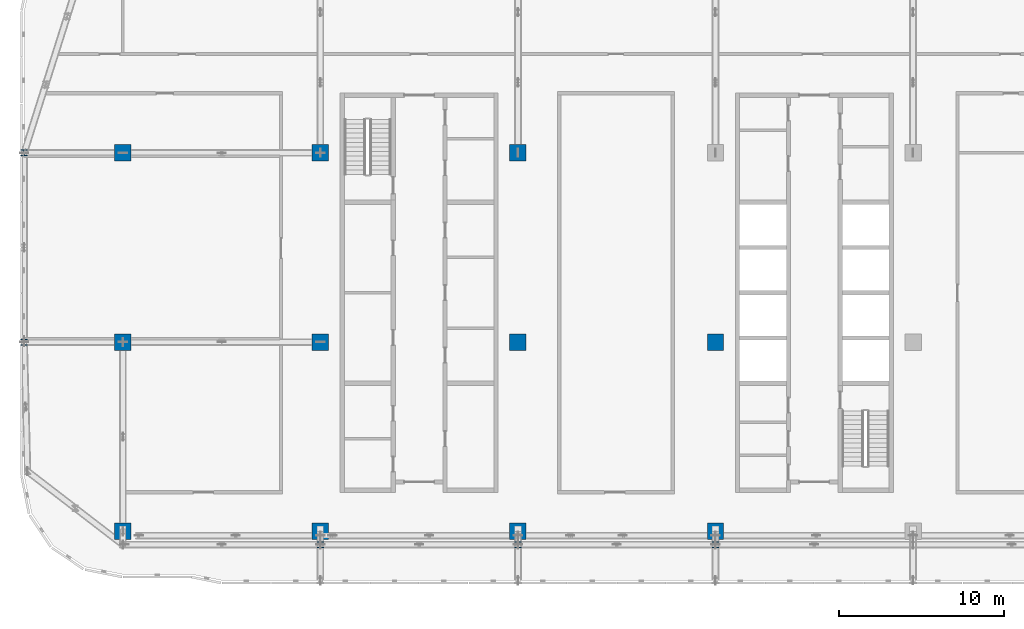
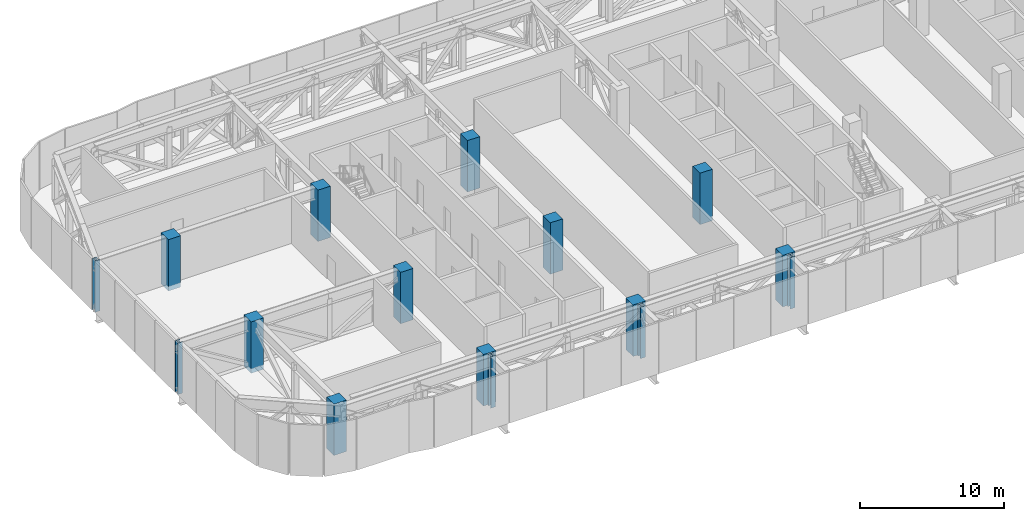
# One storey, part 1 of 29: 16 columns.
"""IFC4 building model written with IfcOpenShell, lengths in metres."""

from ifc_helpers import new_model, si_unit, direction, frame, origin, origin_2d, place, context, subcontext, project, spatial, rectangle, i_section, extrude, material, material_profile, profile_set, type_object, element, save


model = new_model("IFC4")

# Units and contexts
model_context = context("Model", 3, precision=1e-05, world=origin(), true_north=direction((0.0, 1.0)))
body_context = subcontext(model_context, "Body", "Model", "MODEL_VIEW")
ifc_project = project(units=[si_unit("LENGTHUNIT", "METRE"), si_unit("AREAUNIT", "SQUARE_METRE"), si_unit("VOLUMEUNIT", "CUBIC_METRE"), si_unit("PLANEANGLEUNIT", "RADIAN"), si_unit("MASSUNIT", "GRAM", prefix="KILO")], contexts=[model_context])

# Site, building, storey
site_placement = place(None, origin())
site = spatial("IfcSite", under=ifc_project, at=site_placement, CompositionType="ELEMENT")
building_placement = place(site_placement, origin())
building = spatial("IfcBuilding", under=site, at=building_placement, Name="Mahtab Terrace Research Tower", CompositionType="ELEMENT")
storey_placement = place(building_placement, frame((0.0, 0.0, 259.0)))
storey = spatial("IfcBuildingStorey", under=building, at=storey_placement, Name="L63", CompositionType="ELEMENT", Elevation=259.0)

# Columns
ifc_material_1 = material(Name="Concrete C70/85", Category="concrete")
ifc_material_profile_1 = material_profile(ifc_material_1, rectangle(XDim=1.0, YDim=1.0, at=origin_2d()), Name="RC column 1000x1000")
ifc_profile_set_1 = profile_set([ifc_material_profile_1], Name="Concrete C70/85")
column_type_1 = type_object("IfcColumnType", Name="RC column 1000x1000", PredefinedType="COLUMN", material=ifc_profile_set_1)
for number, where, z_axis, x_axis, name in (
    (1, (-42.0, -11.5, -0.39990234375), (0.0, 0.0, 1.0), (1.0, 0.0, 0.0), "Column RC-1A L63"),
    (2, (-42.0, 0.0, -0.39990234375), (0.0, 0.0, 1.0), (1.0, 0.0, 0.0), "Column RC-1B L63"),
    (3, (-42.0, 11.5, -0.39990234375), (0.0, 0.0, 1.0), (1.0, 0.0, 0.0), "Column RC-1C L63"),
    (4, (-30.0, -11.5, -0.39990234375), (0.0, 0.0, 1.0), (1.0, 0.0, 0.0), "Column RC-2A L63"),
    (5, (-30.0, 0.0, -0.39990234375), (0.0, 0.0, 1.0), (1.0, 0.0, 0.0), "Column RC-2B L63"),
    (6, (-30.0, 11.5, -0.39990234375), (0.0, 0.0, 1.0), (1.0, 0.0, 0.0), "Column RC-2C L63"),
    (7, (-18.0, -11.5, -0.39990234375), (0.0, 0.0, 1.0), (1.0, 0.0, 0.0), "Column RC-3A L63"),
    (8, (-18.0, 0.0, -0.39990234375), (0.0, 0.0, 1.0), (1.0, 0.0, 0.0), "Column RC-3B L63"),
    (9, (-18.0, 11.5, -0.39990234375), (0.0, 0.0, 1.0), (1.0, 0.0, 0.0), "Column RC-3C L63"),
    (10, (-6.0, -11.5, -0.39990234375), (0.0, 0.0, 1.0), (1.0, 0.0, 0.0), "Column RC-4A L63"),
    (11, (-6.0, 0.0, -0.39990234375), (0.0, 0.0, 1.0), (1.0, 0.0, 0.0), "Column RC-4B L63"),
):
    element("IfcColumn", number, at=place(storey_placement, frame(where, z_axis=z_axis, x_axis=x_axis)), inside=storey, type_object=column_type_1, Name=name, PredefinedType="COLUMN", context=body_context, shape_type="SweptSolid", body=[
        extrude(rectangle(XDim=1.0, YDim=1.0, at=origin_2d()), origin(), (0.0, 0.0, 1.0), 4.35986328125),
    ])
ifc_material_2 = material(Name="Steel ASTM A992 Gr 50", Category="steel")
ifc_material_profile_2 = material_profile(ifc_material_2, i_section(OverallWidth=0.393798828125, OverallDepth=0.3759765625, WebThickness=0.017333984375, FlangeThickness=0.027587890625, at=origin_2d()), Name="W14X145")
ifc_profile_set_2 = profile_set([ifc_material_profile_2], Name="Steel ASTM A992 Gr 50")
column_type_2 = type_object("IfcColumnType", Name="W14x145 column CS14145", PredefinedType="COLUMN", material=ifc_profile_set_2)
for number, where, z_axis, x_axis, name in (
    (12, (-48.0, 11.5, -0.39990234375), (0.0, 0.0, 1.0), (1.0, 0.0, 0.0), "Column SC-009 L63"),
    (13, (-48.0, 0.0, -0.39990234375), (0.0, 0.0, 1.0), (1.0, 0.0, 0.0), "Column SC-010 L63"),
    (14, (-30.0, -12.306884765625, -0.39990234375), (0.0, 0.0, 1.0), (1.0, 0.0, 0.0), "Column SC-082 L63"),
    (15, (-18.0, -12.306884765625, -0.39990234375), (0.0, 0.0, 1.0), (1.0, 0.0, 0.0), "Column SC-083 L63"),
    (16, (-6.0, -12.306884765625, -0.39990234375), (0.0, 0.0, 1.0), (1.0, 0.0, 0.0), "Column SC-084 L63"),
):
    element("IfcColumn", number, at=place(storey_placement, frame(where, z_axis=z_axis, x_axis=x_axis)), inside=storey, type_object=column_type_2, Name=name, PredefinedType="COLUMN", context=body_context, shape_type="SweptSolid", body=[
        extrude(i_section(OverallWidth=0.393798828125, OverallDepth=0.3759765625, WebThickness=0.017333984375, FlangeThickness=0.027587890625, at=origin_2d()), origin(), (0.0, 0.0, 1.0), 4.35986328125),
    ])

save(model, "model.ifc")
